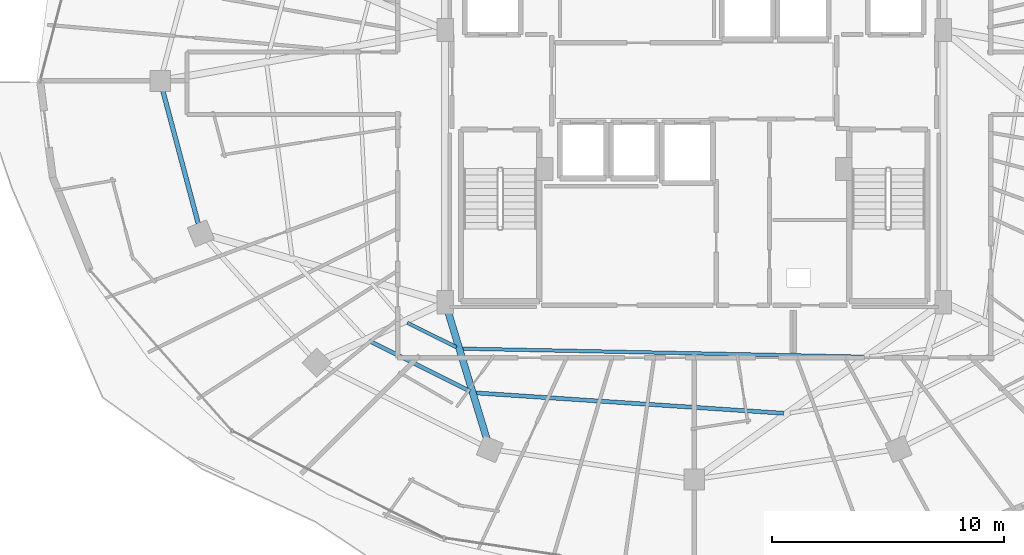
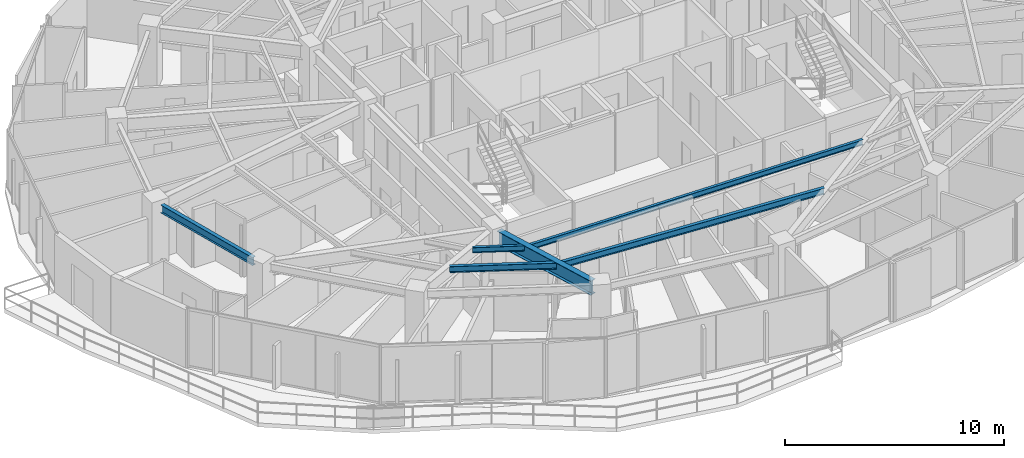
# One storey, part 6 of 33: 6 beams.
"""IFC4 building model written with IfcOpenShell, lengths in metres."""

from ifc_helpers import new_model, si_unit, direction, frame, origin, origin_2d, place, context, subcontext, project, spatial, i_section, extrude, material, material_profile, profile_set, type_object, element, save


model = new_model("IFC4")

# Units and contexts
model_context = context("Model", 3, precision=1e-05, world=origin(), true_north=direction((0.0, 1.0)))
body_context = subcontext(model_context, "Body", "Model", "MODEL_VIEW")
ifc_project = project(units=[si_unit("LENGTHUNIT", "METRE"), si_unit("AREAUNIT", "SQUARE_METRE"), si_unit("VOLUMEUNIT", "CUBIC_METRE"), si_unit("PLANEANGLEUNIT", "RADIAN"), si_unit("MASSUNIT", "GRAM", prefix="KILO")], contexts=[model_context])

# Site, building, storey
site_placement = place(None, origin())
site = spatial("IfcSite", under=ifc_project, at=site_placement, CompositionType="ELEMENT")
building_placement = place(site_placement, origin())
building = spatial("IfcBuilding", under=site, at=building_placement, Name="Vorneva Point Tower", CompositionType="ELEMENT")
storey_placement = place(building_placement, frame((0.0, 0.0, 179.10009765625)))
storey = spatial("IfcBuildingStorey", under=building, at=storey_placement, Name="L48", CompositionType="ELEMENT", Elevation=179.10009765625)

# Beams
ifc_material = material(Name="Steel S355", Category="steel")
ifc_material_profile_1 = material_profile(ifc_material, i_section(OverallWidth=0.300048828125, OverallDepth=0.7880859375, WebThickness=0.014404296875, FlangeThickness=0.02197265625, at=origin_2d()), Name="80Sh1")
ifc_profile_set_1 = profile_set([ifc_material_profile_1], Name="Steel S355")
beam_type_1 = type_object("IfcBeamType", Name="BM-GRD-80Sh1", PredefinedType="USERDEFINED", material=ifc_profile_set_1)
beam_1_placement = place(storey_placement, frame((29.051513671875, 10.5283203125, 2.845947265625), z_axis=(-0.291025429135, 0.956715317948, 0.0), x_axis=(-0.956715317948, -0.291025429135, 0.0)))
element("IfcBeam", 1, at=beam_1_placement, inside=storey, type_object=beam_type_1, Name="L48 Radial Primary Girder 12", ObjectType="GIRDER", PredefinedType="USERDEFINED", context=body_context, shape_type="SweptSolid", body=[
    extrude(i_section(OverallWidth=0.300048828125, OverallDepth=0.7880859375, WebThickness=0.014404296875, FlangeThickness=0.02197265625, at=origin_2d()), origin(), (0.0, 0.0, 1.0), 5.849609375),
])
ifc_material_profile_2 = material_profile(ifc_material, i_section(OverallWidth=0.14892578125, OverallDepth=0.298095703125, WebThickness=0.005615234375, FlangeThickness=0.008056640625, at=origin_2d()), Name="30B1")
ifc_profile_set_2 = profile_set([ifc_material_profile_2], Name="Steel S355")
beam_type_2 = type_object("IfcBeamType", Name="BM-JST-30B1", PredefinedType="JOIST", material=ifc_profile_set_2)
beam_2_placement = place(storey_placement, frame((25.612548828125, 15.559814453125, 3.0908203125), z_axis=(0.895946483514, -0.4441620185, 0.0), x_axis=(0.4441620185, 0.895946483514, 0.0)))
element("IfcBeam", 2, at=beam_2_placement, inside=storey, type_object=beam_type_2, Name="L48 Secondary Floor Beam 2.11", PredefinedType="JOIST", context=body_context, shape_type="SweptSolid", body=[
    extrude(i_section(OverallWidth=0.14892578125, OverallDepth=0.298095703125, WebThickness=0.005615234375, FlangeThickness=0.008056640625, at=origin_2d()), origin(), (0.0, 0.0, 1.0), 2.3701171875),
])
beam_3_placement = place(storey_placement, frame((27.997802734375, 14.443115234375, 3.0908203125), z_axis=(0.999798766182, -0.020060586778, 0.0), x_axis=(0.020060586778, 0.999798766182, 0.0)))
element("IfcBeam", 3, at=beam_3_placement, inside=storey, type_object=beam_type_2, Name="L48 Secondary Floor Beam 2.12", PredefinedType="JOIST", context=body_context, shape_type="SweptSolid", body=[
    extrude(i_section(OverallWidth=0.14892578125, OverallDepth=0.298095703125, WebThickness=0.005615234375, FlangeThickness=0.008056640625, at=origin_2d()), origin(), (0.0, 0.0, 1.0), 17.305908203125),
])
ifc_material_profile_3 = material_profile(ifc_material, i_section(OverallWidth=0.174072265625, OverallDepth=0.345947265625, WebThickness=0.006103515625, FlangeThickness=0.009033203125, at=origin_2d()), Name="35B1")
ifc_profile_set_3 = profile_set([ifc_material_profile_3], Name="Steel S355")
beam_type_3 = type_object("IfcBeamType", Name="BM-SEC-35B1", PredefinedType="BEAM", material=ifc_profile_set_3)
beam_4_placement = place(storey_placement, frame((23.965087890625, 14.78369140625, 3.06689453125), z_axis=(0.89410580889, -0.44785578316, 0.0), x_axis=(0.44785578316, 0.89410580889, 0.0)))
element("IfcBeam", 4, at=beam_4_placement, inside=storey, type_object=beam_type_3, Name="L48 Secondary Floor Beam 1.11", PredefinedType="BEAM", context=body_context, shape_type="SweptSolid", body=[
    extrude(i_section(OverallWidth=0.174072265625, OverallDepth=0.345947265625, WebThickness=0.006103515625, FlangeThickness=0.009033203125, at=origin_2d()), origin(), (0.0, 0.0, 1.0), 4.865234375),
])
beam_5_placement = place(storey_placement, frame((28.576416015625, 12.533935546875, 3.06689453125), z_axis=(0.997817414317, -0.066033383117, 0.0), x_axis=(0.066033383117, 0.997817414317, 0.0)))
element("IfcBeam", 5, at=beam_5_placement, inside=storey, type_object=beam_type_3, Name="L48 Secondary Floor Beam 1.12", PredefinedType="BEAM", context=body_context, shape_type="SweptSolid", body=[
    extrude(i_section(OverallWidth=0.174072265625, OverallDepth=0.345947265625, WebThickness=0.006103515625, FlangeThickness=0.009033203125, at=origin_2d()), origin(), (0.0, 0.0, 1.0), 13.313720703125),
])
ifc_material_profile_4 = material_profile(ifc_material, i_section(OverallWidth=0.198974609375, OverallDepth=0.446044921875, WebThickness=0.008056640625, FlangeThickness=0.011962890625, at=origin_2d()), Name="45B1")
ifc_profile_set_4 = profile_set([ifc_material_profile_4], Name="Steel S355")
beam_type_4 = type_object("IfcBeamType", Name="BM-SPN-45B1", PredefinedType="SPANDREL", material=ifc_profile_set_4)
beam_6_placement = place(storey_placement, frame((15.06201171875, 25.57958984375, 3.016845703125), z_axis=(0.257578258003, -0.966257440336, 0.0), x_axis=(0.966257440336, 0.257578258003, 0.0)))
element("IfcBeam", 6, at=beam_6_placement, inside=storey, type_object=beam_type_4, Name="L48 Perimeter Spandrel Ring Beam 09", PredefinedType="SPANDREL", context=body_context, shape_type="SweptSolid", body=[
    extrude(i_section(OverallWidth=0.198974609375, OverallDepth=0.446044921875, WebThickness=0.008056640625, FlangeThickness=0.011962890625, at=origin_2d()), origin(), (0.0, 0.0, 1.0), 5.94189453125),
])

save(model, "model.ifc")
